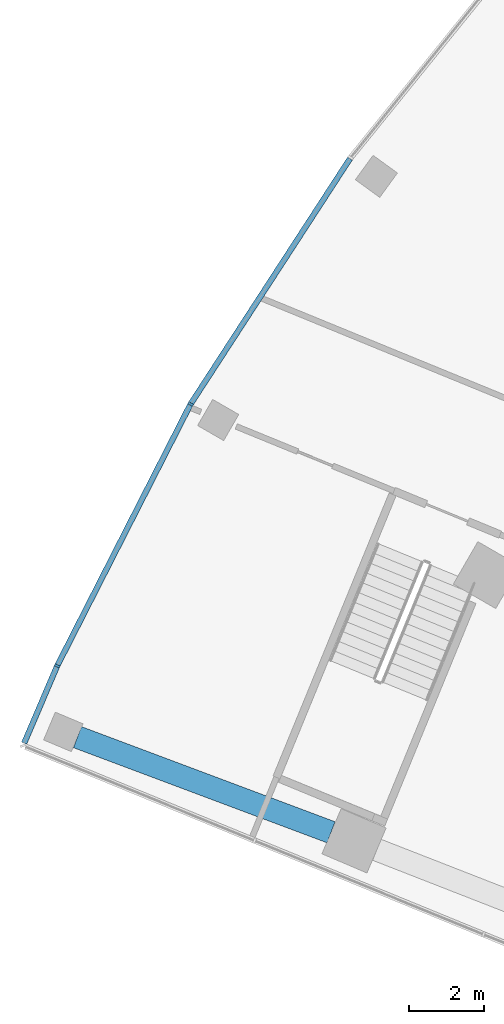
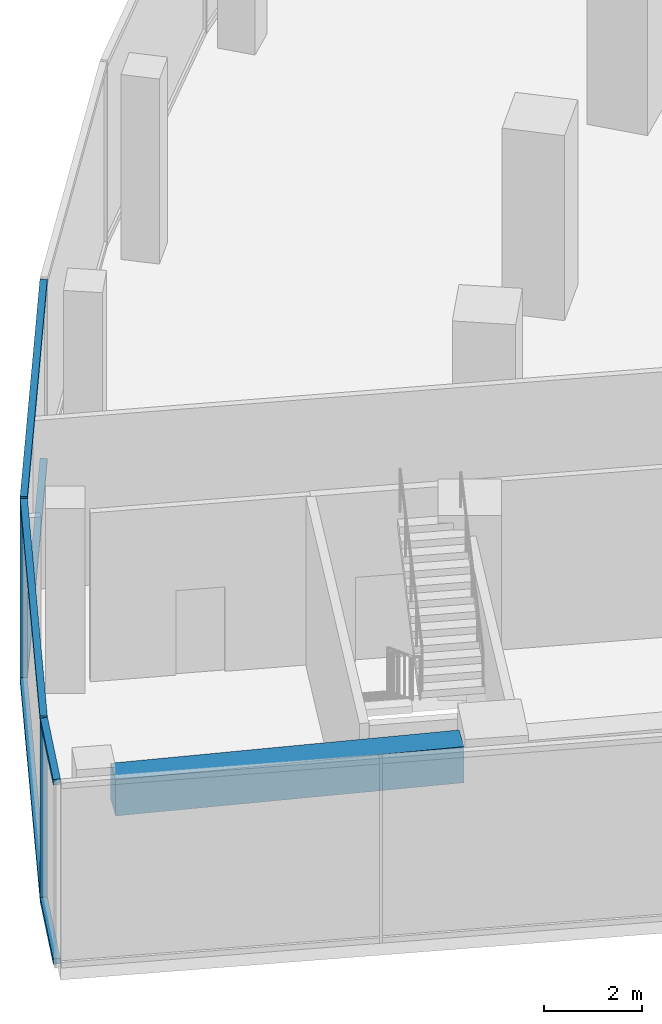
# One storey, part 3 of 39: 8 members, 1 beam, 1 element without a shape of its own.
"""IFC4 building model written with IfcOpenShell, lengths in metres."""

from ifc_helpers import new_model, si_unit, direction, frame, origin, origin_2d, place, context, subcontext, project, spatial, rectangle, extrude, material, layer, layer_set, material_profile, profile_set, type_object, element, aggregate, save


model = new_model("IFC4")

# Units and contexts
model_context = context("Model", 3, precision=1e-05, world=origin(), true_north=direction((0.0, 1.0)))
body_context = subcontext(model_context, "Body", "Model", "MODEL_VIEW")
ifc_project = project(units=[si_unit("LENGTHUNIT", "METRE"), si_unit("AREAUNIT", "SQUARE_METRE"), si_unit("VOLUMEUNIT", "CUBIC_METRE"), si_unit("PLANEANGLEUNIT", "RADIAN"), si_unit("MASSUNIT", "GRAM", prefix="KILO")], contexts=[model_context])

# Site, building, storey
site_placement = place(None, origin())
site = spatial("IfcSite", under=ifc_project, at=site_placement, CompositionType="ELEMENT")
building_placement = place(site_placement, origin())
building = spatial("IfcBuilding", under=site, at=building_placement, Name="Stone Belt Terrace Tower", CompositionType="ELEMENT")
storey_placement = place(building_placement, frame((0.0, 0.0, 20.800048828125)))
storey = spatial("IfcBuildingStorey", under=building, at=storey_placement, Name="L04", CompositionType="ELEMENT", Elevation=20.800048828125)

# Curtain wall, members
ifc_material_1 = material(Name="Aluminium 6063-T6 anodised frame", Category="aluminium")
ifc_layer = layer(ifc_material_1, 0.14990234375)
ifc_layer_set = layer_set([ifc_layer], Name="CW-D podium shopfront")
curtain_wall_type = type_object("IfcCurtainWallType", Name="CW-D podium shopfront", PredefinedType="NOTDEFINED", material=ifc_layer_set)
curtain_wall_placement = place(storey_placement, origin())
curtain_wall = element("IfcCurtainWall", 1, at=curtain_wall_placement, inside=storey, type_object=curtain_wall_type, Name="CW-D convex face L04", PredefinedType="NOTDEFINED")
ifc_material_profile_1 = material_profile(ifc_material_1, rectangle(XDim=0.14990234375, YDim=0.06005859375, at=origin_2d()), Name="Aluminium 6063-T6 60x150")
ifc_profile_set_1 = profile_set([ifc_material_profile_1], Name="Aluminium 6063-T6 anodised frame")
member_type_1 = type_object("IfcMemberType", Name="CW-D mullion 60 x 150", PredefinedType="MULLION", material=ifc_profile_set_1)
member_1_placement = place(storey_placement, frame((-64.583984375, 37.28759765625, 0.0), z_axis=(0.0, 0.0, 1.0), x_axis=(0.866025403784, -0.5, 0.0)))
member_1 = element("IfcMember", 2, at=member_1_placement, type_object=member_type_1, Name="CW-D mullion 23", PredefinedType="MULLION", context=body_context, shape_type="SweptSolid", body=[
    extrude(rectangle(XDim=0.14990234375, YDim=0.06005859375, at=origin_2d()), origin(), (0.0, 0.0, 1.0), 4.599853515625),
])
member_2_placement = place(storey_placement, frame((-68.127197265625, 30.333740234375, 0.0), z_axis=(0.0, 0.0, 1.0), x_axis=(0.905778201442, -0.423752108895, 0.0)))
member_2 = element("IfcMember", 3, at=member_2_placement, type_object=member_type_1, Name="CW-D mullion 24", PredefinedType="MULLION", context=body_context, shape_type="SweptSolid", body=[
    extrude(rectangle(XDim=0.14990234375, YDim=0.06005859375, at=origin_2d()), origin(), (0.0, 0.0, 1.0), 4.599853515625),
])
ifc_material_profile_2 = material_profile(ifc_material_1, rectangle(XDim=0.14990234375, YDim=0.139892578125, at=origin_2d()), Name="Aluminium 6063-T6 150x140")
ifc_profile_set_2 = profile_set([ifc_material_profile_2], Name="Aluminium 6063-T6 anodised frame")
member_type_2 = type_object("IfcMemberType", Name="CW-D transom 140 x 150", PredefinedType="USERDEFINED", material=ifc_profile_set_2)
member_3_placement = place(storey_placement, frame((-60.35107421875, 43.8056640625, 0.070068359375), z_axis=(-0.54462677088, -0.83867853224, 0.0), x_axis=(0.83867853224, -0.54462677088, 0.0)))
member_3 = element("IfcMember", 4, at=member_3_placement, type_object=member_type_2, Name="CW-D transom 22.1", ObjectType="TRANSOM", PredefinedType="USERDEFINED", context=body_context, shape_type="SweptSolid", body=[
    extrude(rectangle(XDim=0.14990234375, YDim=0.139892578125, at=origin_2d()), origin(), (0.0, 0.0, 1.0), 7.738037109375),
])
member_4_placement = place(storey_placement, frame((-60.35107421875, 43.8056640625, 4.530029296875), z_axis=(-0.54462677088, -0.83867853224, 0.0), x_axis=(0.83867853224, -0.54462677088, 0.0)))
member_4 = element("IfcMember", 5, at=member_4_placement, type_object=member_type_2, Name="CW-D transom 22.2", ObjectType="TRANSOM", PredefinedType="USERDEFINED", context=body_context, shape_type="SweptSolid", body=[
    extrude(rectangle(XDim=0.14990234375, YDim=0.139892578125, at=origin_2d()), origin(), (0.0, 0.0, 1.0), 7.738037109375),
])
member_5_placement = place(storey_placement, frame((-64.599365234375, 37.25732421875, 0.070068359375), z_axis=(-0.453977770034, -0.891013010183, 0.0), x_axis=(0.891013010183, -0.453977770034, 0.0)))
member_5 = element("IfcMember", 6, at=member_5_placement, type_object=member_type_2, Name="CW-D transom 23.1", ObjectType="TRANSOM", PredefinedType="USERDEFINED", context=body_context, shape_type="SweptSolid", body=[
    extrude(rectangle(XDim=0.14990234375, YDim=0.139892578125, at=origin_2d()), origin(), (0.0, 0.0, 1.0), 7.738037109375),
])
member_6_placement = place(storey_placement, frame((-64.599365234375, 37.25732421875, 4.530029296875), z_axis=(-0.453977770034, -0.891013010183, 0.0), x_axis=(0.891013010183, -0.453977770034, 0.0)))
member_6 = element("IfcMember", 7, at=member_6_placement, type_object=member_type_2, Name="CW-D transom 23.2", ObjectType="TRANSOM", PredefinedType="USERDEFINED", context=body_context, shape_type="SweptSolid", body=[
    extrude(rectangle(XDim=0.14990234375, YDim=0.139892578125, at=origin_2d()), origin(), (0.0, 0.0, 1.0), 7.738037109375),
])
member_7_placement = place(storey_placement, frame((-68.139892578125, 30.3037109375, 0.070068359375), z_axis=(-0.39299460879, -0.919540775312, 0.0), x_axis=(0.919540775312, -0.39299460879, 0.0)))
member_7 = element("IfcMember", 8, at=member_7_placement, type_object=member_type_2, Name="CW-D transom 24.1", ObjectType="TRANSOM", PredefinedType="USERDEFINED", context=body_context, shape_type="SweptSolid", body=[
    extrude(rectangle(XDim=0.14990234375, YDim=0.139892578125, at=origin_2d()), origin(), (0.0, 0.0, 1.0), 2.19921875),
])
member_8_placement = place(storey_placement, frame((-68.139892578125, 30.3037109375, 4.530029296875), z_axis=(-0.39299460879, -0.919540775312, 0.0), x_axis=(0.919540775312, -0.39299460879, 0.0)))
member_8 = element("IfcMember", 9, at=member_8_placement, type_object=member_type_2, Name="CW-D transom 24.2", ObjectType="TRANSOM", PredefinedType="USERDEFINED", context=body_context, shape_type="SweptSolid", body=[
    extrude(rectangle(XDim=0.14990234375, YDim=0.139892578125, at=origin_2d()), origin(), (0.0, 0.0, 1.0), 2.19921875),
])
aggregate(curtain_wall, [member_1, member_2, member_3, member_4, member_5, member_6, member_7, member_8])

# Beam
ifc_material_2 = material(Name="Concrete B60", Category="concrete")
ifc_material_profile_3 = material_profile(ifc_material_2, rectangle(XDim=0.60009765625, YDim=0.89990234375, at=origin_2d()), Name="RC 600x900")
ifc_profile_set_3 = profile_set([ifc_material_profile_3], Name="Concrete B60")
beam_type = type_object("IfcBeamType", Name="Edge beam RC 600x900 B60", PredefinedType="SPANDREL", material=ifc_profile_set_3)
beam_placement = place(storey_placement, frame((-60.85107421875, 25.913330078125, 3.75), z_axis=(-0.936357063025, 0.351049071389, 0.0), x_axis=(-0.351049071389, -0.936357063025, 0.0)))
element("IfcBeam", 10, at=beam_placement, inside=storey, type_object=beam_type, Name="Edge beam L04 A R to S", PredefinedType="SPANDREL", context=body_context, shape_type="SweptSolid", body=[
    extrude(rectangle(XDim=0.60009765625, YDim=0.89990234375, at=origin_2d()), origin(), (0.0, 0.0, 1.0), 7.1953125),
])

save(model, "model.ifc")
